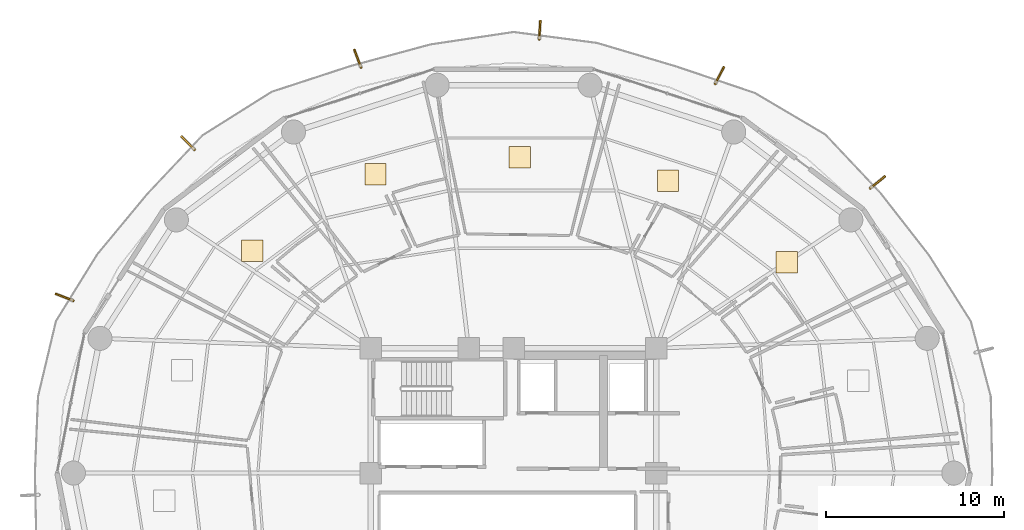
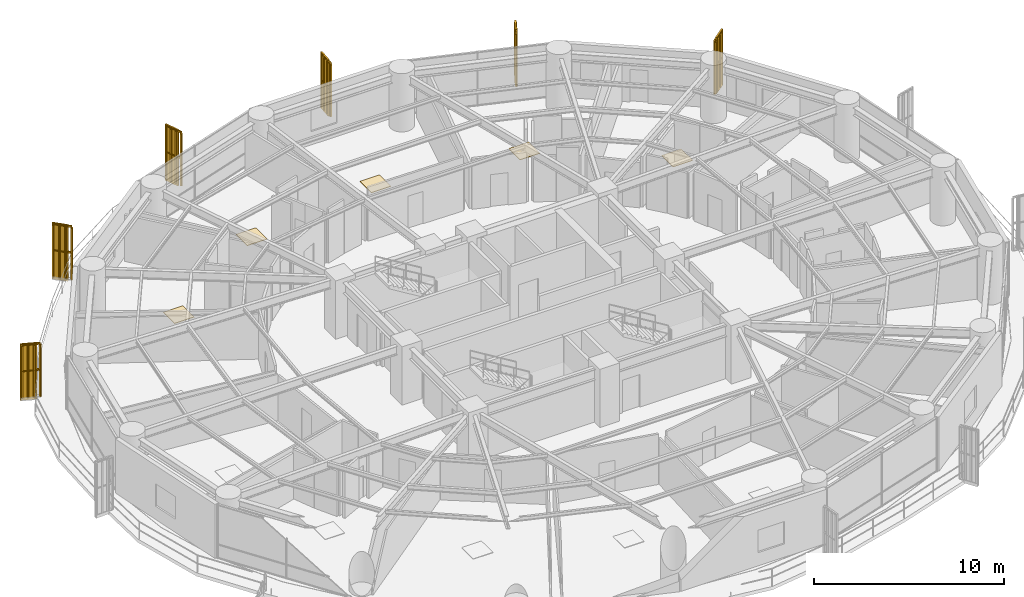
# One storey, part 38 of 38: 6 railings, 6 shading devices, 5 coverings.
"""IFC4 building model written with IfcOpenShell, lengths in metres."""

from ifc_helpers import new_model, si_unit, direction, frame, origin, origin_2d, place, context, subcontext, project, spatial, polyline, rectangle, outline, extrude, source, transform, mapped, material, layer, layer_set, type_object, element, save


model = new_model("IFC4")

# Units and contexts
model_context = context("Model", 3, precision=1e-05, world=origin(), true_north=direction((0.0, 1.0)))
body_context = subcontext(model_context, "Body", "Model", "MODEL_VIEW")
ifc_project = project(units=[si_unit("LENGTHUNIT", "METRE"), si_unit("AREAUNIT", "SQUARE_METRE"), si_unit("VOLUMEUNIT", "CUBIC_METRE"), si_unit("PLANEANGLEUNIT", "RADIAN"), si_unit("MASSUNIT", "GRAM", prefix="KILO")], contexts=[model_context])

# Site, building, storey
site_placement = place(None, origin())
site = spatial("IfcSite", under=ifc_project, at=site_placement, CompositionType="ELEMENT")
building_placement = place(site_placement, origin())
building = spatial("IfcBuilding", under=site, at=building_placement, Name="Kelanora Arch Commons", CompositionType="ELEMENT")
storey_placement = place(building_placement, frame((0.0, 0.0, 106.35009765625)))
storey = spatial("IfcBuildingStorey", under=building, at=storey_placement, Name="L27", CompositionType="ELEMENT", Elevation=106.35009765625)

# Railings
ifc_material_1 = material(Name="Anodised bronze vertical shading fin rib assembly")
railing_type = type_object("IfcRailingType", Name="RAIL-FIN-BRZ", PredefinedType="BALUSTRADE", material=ifc_material_1)
railing_1_placement = place(storey_placement, frame((94.003173828125, 73.979736328125, -0.02001953125)))
element("IfcRailing", 1, at=railing_1_placement, inside=storey, type_object=railing_type, Name="Sweeping Bronze Vertical Fin Blade L27-00", PredefinedType="BALUSTRADE", context=body_context, shape_type="SweptSolid", body=[
    extrude(outline(polyline([(0.06982421875, 0.0), (0.034912109375, 0.060546875), (-0.034912109375, 0.060546875), (-0.06982421875, 0.0), (-0.034912109375, -0.060546875), (0.034912109375, -0.060546875), (0.06982421875, 0.0)])), frame((0.0, 0.0, 3.419921875), z_axis=(0.781178617367, 0.62430759067, 0.0), x_axis=(-0.62430759067, 0.781178617367, 0.0)), (0.0, 0.0, 1.0), 0.999267578125),
    extrude(outline(polyline([(0.06982421875, 0.0), (0.034912109375, 0.060546875), (-0.034912109375, 0.060546875), (-0.06982421875, 0.0), (-0.034912109375, -0.060546875), (0.034912109375, -0.060546875), (0.06982421875, 0.0)])), frame((0.0, 0.0, 1.7451171875), z_axis=(0.781178617367, 0.62430759067, 0.0), x_axis=(-0.62430759067, 0.781178617367, 0.0)), (0.0, 0.0, 1.0), 0.999267578125),
    extrude(outline(polyline([(0.080078125, 0.0), (0.0400390625, 0.0693359375), (-0.0400390625, 0.0693359375), (-0.080078125, 0.0), (-0.0400390625, -0.0693359375), (0.0400390625, -0.0693359375), (0.080078125, 0.0)])), origin(), (0.0, 0.0, 1.0), 3.35009765625),
    extrude(outline(polyline([(0.080078125, 0.0), (0.0400390625, 0.0693359375), (-0.0400390625, 0.0693359375), (-0.080078125, 0.0), (-0.0400390625, -0.0693359375), (0.0400390625, -0.0693359375), (0.080078125, 0.0)])), frame((0.26025390625, 0.2080078125, 0.0)), (0.0, 0.0, 1.0), 3.35009765625),
    extrude(outline(polyline([(0.080078125, 0.0), (0.0400390625, 0.0693359375), (-0.0400390625, 0.0693359375), (-0.080078125, 0.0), (-0.0400390625, -0.0693359375), (0.0400390625, -0.0693359375), (0.080078125, 0.0)])), frame((0.520263671875, 0.415771484375, 0.0)), (0.0, 0.0, 1.0), 3.35009765625),
    extrude(outline(polyline([(0.080078125, 0.0), (0.0400390625, 0.0693359375), (-0.0400390625, 0.0693359375), (-0.080078125, 0.0), (-0.0400390625, -0.0693359375), (0.0400390625, -0.0693359375), (0.080078125, 0.0)])), frame((0.780517578125, 0.623779296875, 0.0)), (0.0, 0.0, 1.0), 3.35009765625),
])
railing_2_placement = place(storey_placement, frame((85.306640625, 79.831298828125, -0.02001953125)))
element("IfcRailing", 2, at=railing_2_placement, inside=storey, type_object=railing_type, Name="Sweeping Bronze Vertical Fin Blade L27-01", PredefinedType="BALUSTRADE", context=body_context, shape_type="SweptSolid", body=[
    extrude(outline(polyline([(0.06982421875, 0.0), (0.034912109375, 0.060546875), (-0.034912109375, 0.060546875), (-0.06982421875, 0.0), (-0.034912109375, -0.060546875), (0.034912109375, -0.060546875), (0.06982421875, 0.0)])), frame((0.0, 0.0, 3.419921875), z_axis=(0.459874892009, 0.88798371815, 0.0), x_axis=(-0.88798371815, 0.459874892009, 0.0)), (0.0, 0.0, 1.0), 0.9990234375),
    extrude(outline(polyline([(0.06982421875, 0.0), (0.034912109375, 0.060546875), (-0.034912109375, 0.060546875), (-0.06982421875, 0.0), (-0.034912109375, -0.060546875), (0.034912109375, -0.060546875), (0.06982421875, 0.0)])), frame((0.0, 0.0, 1.7451171875), z_axis=(0.459874892009, 0.88798371815, 0.0), x_axis=(-0.88798371815, 0.459874892009, 0.0)), (0.0, 0.0, 1.0), 0.9990234375),
    extrude(outline(polyline([(0.080078125, 0.0), (0.0400390625, 0.0693359375), (-0.0400390625, 0.0693359375), (-0.080078125, 0.0), (-0.0400390625, -0.0693359375), (0.0400390625, -0.0693359375), (0.080078125, 0.0)])), origin(), (0.0, 0.0, 1.0), 3.35009765625),
    extrude(outline(polyline([(0.080078125, 0.0), (0.0400390625, 0.0693359375), (-0.0400390625, 0.0693359375), (-0.080078125, 0.0), (-0.0400390625, -0.0693359375), (0.0400390625, -0.0693359375), (0.080078125, 0.0)])), frame((0.153076171875, 0.295654296875, 0.0)), (0.0, 0.0, 1.0), 3.35009765625),
    extrude(outline(polyline([(0.080078125, 0.0), (0.0400390625, 0.0693359375), (-0.0400390625, 0.0693359375), (-0.080078125, 0.0), (-0.0400390625, -0.0693359375), (0.0400390625, -0.0693359375), (0.080078125, 0.0)])), frame((0.306396484375, 0.591552734375, 0.0)), (0.0, 0.0, 1.0), 3.35009765625),
    extrude(outline(polyline([(0.080078125, 0.0), (0.0400390625, 0.0693359375), (-0.0400390625, 0.0693359375), (-0.080078125, 0.0), (-0.0400390625, -0.0693359375), (0.0400390625, -0.0693359375), (0.080078125, 0.0)])), frame((0.45947265625, 0.88720703125, 0.0)), (0.0, 0.0, 1.0), 3.35009765625),
])
railing_3_placement = place(storey_placement, frame((75.436279296875, 82.321533203125, -0.02001953125)))
element("IfcRailing", 3, at=railing_3_placement, inside=storey, type_object=railing_type, Name="Sweeping Bronze Vertical Fin Blade L27-02", PredefinedType="BALUSTRADE", context=body_context, shape_type="SweptSolid", body=[
    extrude(outline(polyline([(0.06982421875, 0.0), (0.034912109375, 0.060546875), (-0.034912109375, 0.060546875), (-0.06982421875, 0.0), (-0.034912109375, -0.060546875), (0.034912109375, -0.060546875), (0.06982421875, 0.0)])), frame((0.0, 0.0, 3.419921875), z_axis=(0.059123022611, 0.998250704081, 0.0), x_axis=(-0.998250704081, 0.059123022611, 0.0)), (0.0, 0.0, 1.0), 0.999267578125),
    extrude(outline(polyline([(0.06982421875, 0.0), (0.034912109375, 0.060546875), (-0.034912109375, 0.060546875), (-0.06982421875, 0.0), (-0.034912109375, -0.060546875), (0.034912109375, -0.060546875), (0.06982421875, 0.0)])), frame((0.0, 0.0, 1.7451171875), z_axis=(0.059123022611, 0.998250704081, 0.0), x_axis=(-0.998250704081, 0.059123022611, 0.0)), (0.0, 0.0, 1.0), 0.999267578125),
    extrude(outline(polyline([(0.080078125, 0.0), (0.0400390625, 0.0693359375), (-0.0400390625, 0.0693359375), (-0.080078125, 0.0), (-0.0400390625, -0.0693359375), (0.0400390625, -0.0693359375), (0.080078125, 0.0)])), origin(), (0.0, 0.0, 1.0), 3.35009765625),
    extrude(outline(polyline([(0.080078125, 0.0), (0.0400390625, 0.0693359375), (-0.0400390625, 0.0693359375), (-0.080078125, 0.0), (-0.0400390625, -0.0693359375), (0.0400390625, -0.0693359375), (0.080078125, 0.0)])), frame((0.019775390625, 0.33251953125, 0.0)), (0.0, 0.0, 1.0), 3.35009765625),
    extrude(outline(polyline([(0.080078125, 0.0), (0.0400390625, 0.0693359375), (-0.0400390625, 0.0693359375), (-0.080078125, 0.0), (-0.0400390625, -0.0693359375), (0.0400390625, -0.0693359375), (0.080078125, 0.0)])), frame((0.039306640625, 0.6650390625, 0.0)), (0.0, 0.0, 1.0), 3.35009765625),
    extrude(outline(polyline([(0.080078125, 0.0), (0.0400390625, 0.0693359375), (-0.0400390625, 0.0693359375), (-0.080078125, 0.0), (-0.0400390625, -0.0693359375), (0.0400390625, -0.0693359375), (0.080078125, 0.0)])), frame((0.05908203125, 0.99755859375, 0.0)), (0.0, 0.0, 1.0), 3.35009765625),
])
railing_4_placement = place(storey_placement, frame((65.439208984375, 80.751708984375, -0.02001953125)))
element("IfcRailing", 4, at=railing_4_placement, inside=storey, type_object=railing_type, Name="Sweeping Bronze Vertical Fin Blade L27-03", PredefinedType="BALUSTRADE", context=body_context, shape_type="SweptSolid", body=[
    extrude(outline(polyline([(0.06982421875, 0.0), (0.034912109375, 0.060546875), (-0.034912109375, 0.060546875), (-0.06982421875, 0.0), (-0.034912109375, -0.060546875), (0.034912109375, -0.060546875), (0.06982421875, 0.0)])), frame((0.0, 0.0, 3.419921875), z_axis=(-0.352274377788, 0.935896769283, 0.0), x_axis=(-0.935896769283, -0.352274377788, 0.0)), (0.0, 0.0, 1.0), 0.999267578125),
    extrude(outline(polyline([(0.06982421875, 0.0), (0.034912109375, 0.060546875), (-0.034912109375, 0.060546875), (-0.06982421875, 0.0), (-0.034912109375, -0.060546875), (0.034912109375, -0.060546875), (0.06982421875, 0.0)])), frame((0.0, 0.0, 1.7451171875), z_axis=(-0.352274377788, 0.935896769283, 0.0), x_axis=(-0.935896769283, -0.352274377788, 0.0)), (0.0, 0.0, 1.0), 0.999267578125),
    extrude(outline(polyline([(0.080078125, 0.0), (0.0400390625, 0.0693359375), (-0.0400390625, 0.0693359375), (-0.080078125, 0.0), (-0.0400390625, -0.0693359375), (0.0400390625, -0.0693359375), (0.080078125, 0.0)])), origin(), (0.0, 0.0, 1.0), 3.35009765625),
    extrude(outline(polyline([(0.080078125, 0.0), (0.0400390625, 0.0693359375), (-0.0400390625, 0.0693359375), (-0.080078125, 0.0), (-0.0400390625, -0.0693359375), (0.0400390625, -0.0693359375), (0.080078125, 0.0)])), frame((-0.117431640625, 0.311767578125, 0.0)), (0.0, 0.0, 1.0), 3.35009765625),
    extrude(outline(polyline([(0.080078125, 0.0), (0.0400390625, 0.0693359375), (-0.0400390625, 0.0693359375), (-0.080078125, 0.0), (-0.0400390625, -0.0693359375), (0.0400390625, -0.0693359375), (0.080078125, 0.0)])), frame((-0.234619140625, 0.62353515625, 0.0)), (0.0, 0.0, 1.0), 3.35009765625),
    extrude(outline(polyline([(0.080078125, 0.0), (0.0400390625, 0.0693359375), (-0.0400390625, 0.0693359375), (-0.080078125, 0.0), (-0.0400390625, -0.0693359375), (0.0400390625, -0.0693359375), (0.080078125, 0.0)])), frame((-0.35205078125, 0.935302734375, 0.0)), (0.0, 0.0, 1.0), 3.35009765625),
])
railing_5_placement = place(storey_placement, frame((56.1044921875, 76.134521484375, -0.02001953125)))
element("IfcRailing", 5, at=railing_5_placement, inside=storey, type_object=railing_type, Name="Sweeping Bronze Vertical Fin Blade L27-04", PredefinedType="BALUSTRADE", context=body_context, shape_type="SweptSolid", body=[
    extrude(outline(polyline([(0.06982421875, 0.0), (0.034912109375, 0.060546875), (-0.034912109375, 0.060546875), (-0.06982421875, 0.0), (-0.034912109375, -0.060546875), (0.034912109375, -0.060546875), (0.06982421875, 0.0)])), frame((0.0, 0.0, 3.419921875), z_axis=(-0.702449268945, 0.711733815804, 0.0), x_axis=(-0.711733815804, -0.702449268945, 0.0)), (0.0, 0.0, 1.0), 0.999267578125),
    extrude(outline(polyline([(0.06982421875, 0.0), (0.034912109375, 0.060546875), (-0.034912109375, 0.060546875), (-0.06982421875, 0.0), (-0.034912109375, -0.060546875), (0.034912109375, -0.060546875), (0.06982421875, 0.0)])), frame((0.0, 0.0, 1.7451171875), z_axis=(-0.702449268945, 0.711733815804, 0.0), x_axis=(-0.711733815804, -0.702449268945, 0.0)), (0.0, 0.0, 1.0), 0.999267578125),
    extrude(outline(polyline([(0.080078125, 0.0), (0.0400390625, 0.0693359375), (-0.0400390625, 0.0693359375), (-0.080078125, 0.0), (-0.0400390625, -0.0693359375), (0.0400390625, -0.0693359375), (0.080078125, 0.0)])), origin(), (0.0, 0.0, 1.0), 3.35009765625),
    extrude(outline(polyline([(0.080078125, 0.0), (0.0400390625, 0.0693359375), (-0.0400390625, 0.0693359375), (-0.080078125, 0.0), (-0.0400390625, -0.0693359375), (0.0400390625, -0.0693359375), (0.080078125, 0.0)])), frame((-0.23388671875, 0.237060546875, 0.0)), (0.0, 0.0, 1.0), 3.35009765625),
    extrude(outline(polyline([(0.080078125, 0.0), (0.0400390625, 0.0693359375), (-0.0400390625, 0.0693359375), (-0.080078125, 0.0), (-0.0400390625, -0.0693359375), (0.0400390625, -0.0693359375), (0.080078125, 0.0)])), frame((-0.468017578125, 0.47412109375, 0.0)), (0.0, 0.0, 1.0), 3.35009765625),
    extrude(outline(polyline([(0.080078125, 0.0), (0.0400390625, 0.0693359375), (-0.0400390625, 0.0693359375), (-0.080078125, 0.0), (-0.0400390625, -0.0693359375), (0.0400390625, -0.0693359375), (0.080078125, 0.0)])), frame((-0.701904296875, 0.711181640625, 0.0)), (0.0, 0.0, 1.0), 3.35009765625),
])
railing_6_placement = place(storey_placement, frame((49.304931640625, 67.66796875, -0.02001953125)))
element("IfcRailing", 6, at=railing_6_placement, inside=storey, type_object=railing_type, Name="Sweeping Bronze Vertical Fin Blade L27-05", PredefinedType="BALUSTRADE", context=body_context, shape_type="SweptSolid", body=[
    extrude(outline(polyline([(0.06982421875, 0.0), (0.034912109375, 0.060546875), (-0.034912109375, 0.060546875), (-0.06982421875, 0.0), (-0.034912109375, -0.060546875), (0.034912109375, -0.060546875), (0.06982421875, 0.0)])), frame((0.0, 0.0, 3.419921875), z_axis=(-0.931181481142, 0.364555961654, 0.0), x_axis=(-0.364555961654, -0.931181481142, 0.0)), (0.0, 0.0, 1.0), 0.999267578125),
    extrude(outline(polyline([(0.06982421875, 0.0), (0.034912109375, 0.060546875), (-0.034912109375, 0.060546875), (-0.06982421875, 0.0), (-0.034912109375, -0.060546875), (0.034912109375, -0.060546875), (0.06982421875, 0.0)])), frame((0.0, 0.0, 1.7451171875), z_axis=(-0.931181481142, 0.364555961654, 0.0), x_axis=(-0.364555961654, -0.931181481142, 0.0)), (0.0, 0.0, 1.0), 0.999267578125),
    extrude(outline(polyline([(0.080078125, 0.0), (0.0400390625, 0.0693359375), (-0.0400390625, 0.0693359375), (-0.080078125, 0.0), (-0.0400390625, -0.0693359375), (0.0400390625, -0.0693359375), (0.080078125, 0.0)])), origin(), (0.0, 0.0, 1.0), 3.35009765625),
    extrude(outline(polyline([(0.080078125, 0.0), (0.0400390625, 0.0693359375), (-0.0400390625, 0.0693359375), (-0.080078125, 0.0), (-0.0400390625, -0.0693359375), (0.0400390625, -0.0693359375), (0.080078125, 0.0)])), frame((-0.31005859375, 0.121337890625, 0.0)), (0.0, 0.0, 1.0), 3.35009765625),
    extrude(outline(polyline([(0.080078125, 0.0), (0.0400390625, 0.0693359375), (-0.0400390625, 0.0693359375), (-0.080078125, 0.0), (-0.0400390625, -0.0693359375), (0.0400390625, -0.0693359375), (0.080078125, 0.0)])), frame((-0.620361328125, 0.242919921875, 0.0)), (0.0, 0.0, 1.0), 3.35009765625),
    extrude(outline(polyline([(0.080078125, 0.0), (0.0400390625, 0.0693359375), (-0.0400390625, 0.0693359375), (-0.080078125, 0.0), (-0.0400390625, -0.0693359375), (0.0400390625, -0.0693359375), (0.080078125, 0.0)])), frame((-0.930419921875, 0.3642578125, 0.0)), (0.0, 0.0, 1.0), 3.35009765625),
])

# Shading devices
ifc_material_2 = material(Name="Terracotta ceramic-clad extruded aluminium fin", Category="masonry")
shading_device_type = type_object("IfcShadingDeviceType", Name="SHD-FIN-FLARE", PredefinedType="USERDEFINED", material=ifc_material_2)
shared_shape_1 = source(origin(), body_context, "Body", "SweptSolid", [
    extrude(rectangle(XDim=0.8798828125, YDim=0.090087890625, at=origin_2d()), origin(), (0.0, 0.0, 1.0), 3.610107421875),
])
for number, where, z_axis, x_axis, name in (
    (7, (94.5029296875, 74.37890625, -0.14013671875), (0.0, 0.0, 1.0), (0.781302649748, 0.624152360803, 0.0), "Sweeping Terracotta Fin L27-00"),
    (8, (85.600830078125, 80.3994140625, -0.14013671875), (0.0, 0.0, 1.0), (0.459889850721, 0.887975971074, 0.0), "Sweeping Terracotta Fin L27-01"),
    (9, (75.47412109375, 82.9599609375, -0.14013671875), (0.0, 0.0, 1.0), (0.058957918535, 0.998260468937, 0.0), "Sweeping Terracotta Fin L27-02"),
    (10, (65.2138671875, 81.350341796875, -0.14013671875), (0.0, 0.0, 1.0), (-0.352168373381, 0.935936662809, 0.0), "Sweeping Terracotta Fin L27-03"),
    (11, (55.655029296875, 76.58984375, -0.14013671875), (0.0, 0.0, 1.0), (-0.70240155419, 0.711780904964, 0.0), "Sweeping Terracotta Fin L27-04"),
    (12, (48.70947265625, 67.901123046875, -0.14013671875), (0.0, 0.0, 1.0), (-0.931183125162, 0.364551762325, 0.0), "Sweeping Terracotta Fin L27-05"),
):
    element("IfcShadingDevice", number, at=place(storey_placement, frame(where, z_axis=z_axis, x_axis=x_axis)), inside=storey, type_object=shading_device_type, Name=name, ObjectType="FIN", PredefinedType="USERDEFINED", context=body_context, shape_type="MappedRepresentation", body=[
        mapped(shared_shape_1, transform((0.0, 0.0, 0.0), scale=1.0)),
    ])

# Coverings
ifc_material_3 = material(Name="Polished local granite terrazzo flooring", Category="masonry")
ifc_layer = layer(ifc_material_3, 0.030029296875)
ifc_layer_set = layer_set([ifc_layer], Name="Polished local granite terrazzo flooring")
covering_type = type_object("IfcCoveringType", Name="COV-FLR-TER", PredefinedType="FLOORING", material=ifc_layer_set)
shared_shape_2 = source(origin(), body_context, "Body", "SweptSolid", [
    extrude(rectangle(XDim=1.199951171875, YDim=1.199951171875, at=origin_2d()), origin(), (0.0, 0.0, 1.0), 0.030029296875),
])
for number, where, z_axis, x_axis, name in (
    (13, (89.316162109375, 69.80859375, 0.0), (0.0, 0.0, 1.0), (1.0, 0.0, 0.0), "Co-Living Studio L27-02 Terrazzo Finish"),
    (14, (82.656005859375, 74.3935546875, 0.0), (0.0, 0.0, 1.0), (1.0, 0.0, 0.0), "Co-Living Studio L27-03 Terrazzo Finish"),
    (15, (74.343505859375, 75.7021484375, 0.0), (0.0, 0.0, 1.0), (1.0, 0.0, 0.0), "Communal Dining and Social Hall L27-04 Terrazzo Finish"),
    (16, (66.255126953125, 74.75732421875, 0.0), (0.0, 0.0, 1.0), (1.0, 0.0, 0.0), "Co-Living Studio L27-05 Terrazzo Finish"),
    (17, (59.35107421875, 70.47265625, 0.0), (0.0, 0.0, 1.0), (1.0, 0.0, 0.0), "Co-Living Studio L27-06 Terrazzo Finish"),
):
    element("IfcCovering", number, at=place(storey_placement, frame(where, z_axis=z_axis, x_axis=x_axis)), inside=storey, type_object=covering_type, Name=name, PredefinedType="FLOORING", context=body_context, shape_type="MappedRepresentation", body=[
        mapped(shared_shape_2, transform((0.0, 0.0, 0.0), scale=1.0)),
    ])

save(model, "model.ifc")
